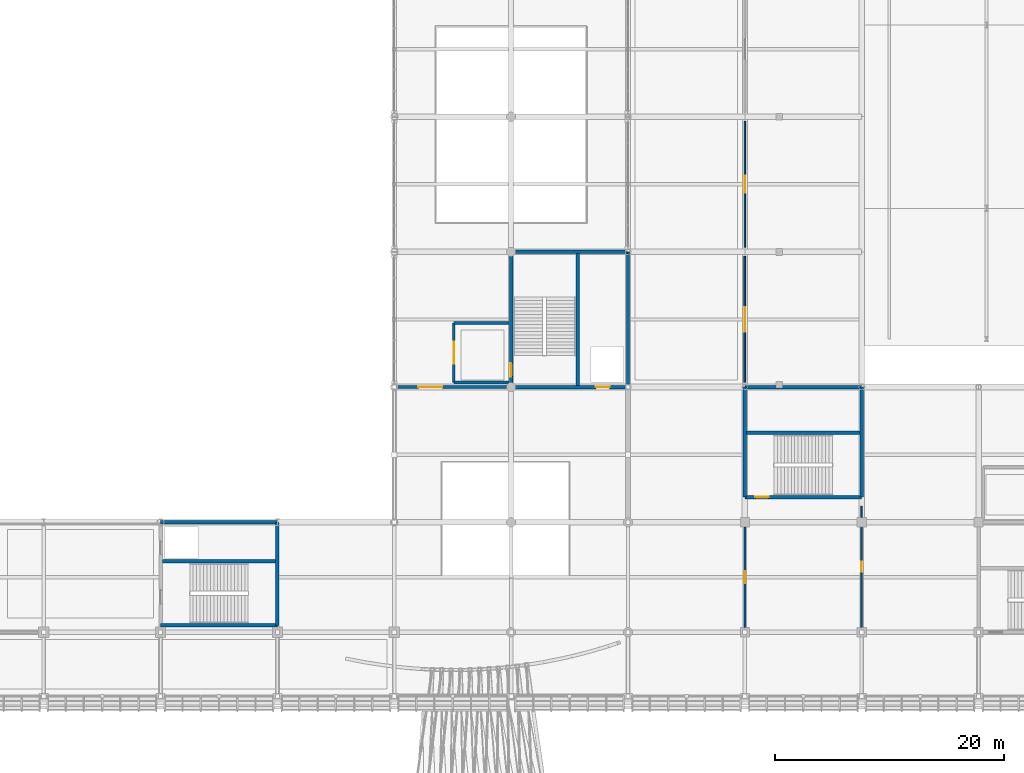
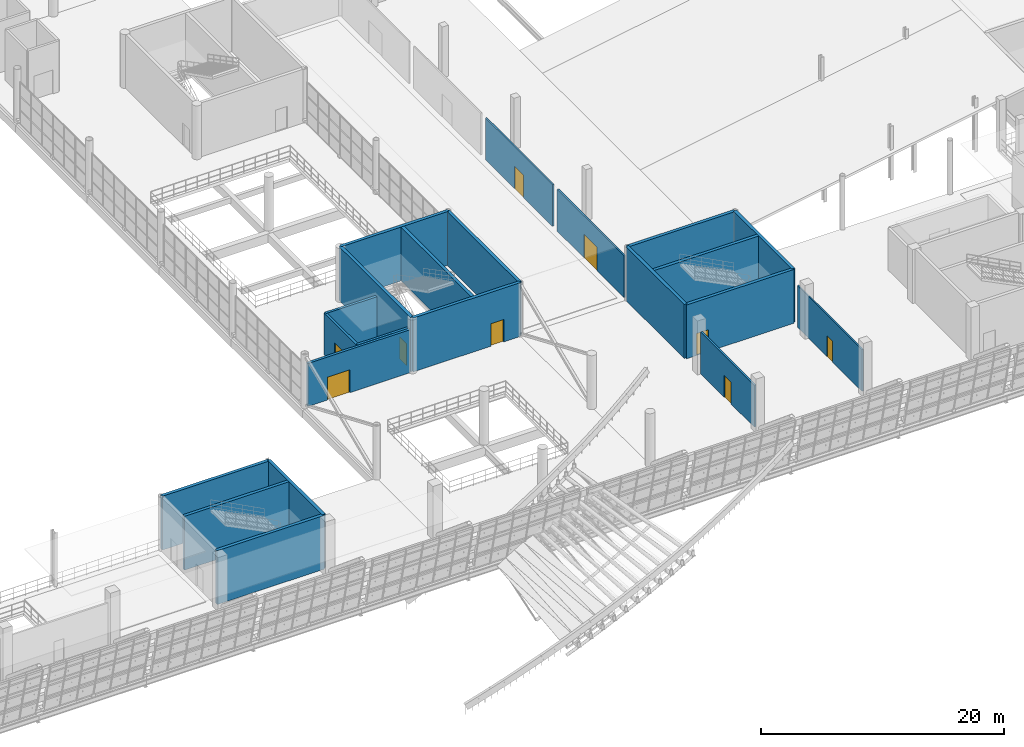
# One storey, part 133 of 175: 22 walls, 9 doors, 9 openings.
"""IFC4 building model written with IfcOpenShell, lengths in metres."""

from ifc_helpers import new_model, si_unit, direction, frame, frame_2d, origin, place, context, subcontext, project, spatial, rectangle, extrude, material, layer, layer_set, type_object, element, fill, save


model = new_model("IFC4")

# Units and contexts
model_context = context("Model", 3, precision=1e-05, world=origin(), true_north=direction((0.0, 1.0)))
body_context = subcontext(model_context, "Body", "Model", "MODEL_VIEW")
ifc_project = project(units=[si_unit("LENGTHUNIT", "METRE"), si_unit("AREAUNIT", "SQUARE_METRE"), si_unit("VOLUMEUNIT", "CUBIC_METRE"), si_unit("PLANEANGLEUNIT", "RADIAN"), si_unit("MASSUNIT", "GRAM", prefix="KILO")], contexts=[model_context])

# Site, building, storey
site_placement = place(None, origin())
site = spatial("IfcSite", under=ifc_project, at=site_placement, CompositionType="ELEMENT")
building_placement = place(site_placement, origin())
building = spatial("IfcBuilding", under=site, at=building_placement, Name="Brelvane Convention Centre", CompositionType="ELEMENT")
storey_placement = place(building_placement, frame((0.0, 0.0, 5.39990234375)))
storey = spatial("IfcBuildingStorey", under=building, at=storey_placement, Name="L01", CompositionType="ELEMENT", Elevation=5.39990234375)

# Wall, opening, door
ifc_material_1 = material(Name="Insulated Autoclaved Aerated Concrete Block Grade 1", Category="concrete")
ifc_layer_1 = layer(ifc_material_1, 0.239990234375)
ifc_layer_set_1 = layer_set([ifc_layer_1], Name="Insulated Autoclaved Aerated Concrete Block Grade 1")
wall_type_1 = type_object("IfcWallType", Name="Exterior Wall EW-03", PredefinedType="STANDARD", material=ifc_layer_set_1)
wall_1_placement = place(storey_placement, frame((143.0400390625, 40.60009765625, 0.0), z_axis=(0.0, 0.0, 1.0), x_axis=(1.0, 0.0, 0.0)))
wall_1 = element("IfcWall", 1, at=wall_1_placement, inside=storey, type_object=wall_type_1, Name="Exterior Wall L01 GAL-DECK-L01-1", PredefinedType="STANDARD", context=body_context, shape_type="SweptSolid", body=[
    extrude(rectangle(XDim=9.719970703125, YDim=0.239990234375, at=frame_2d((4.85986328125, 0.0))), origin(), (0.0, 0.0, 1.0), 4.320068359375),
])
opening_1_placement = place(wall_1_placement, frame((1.865966796875, 0.0, 0.0)))
opening_1 = element("IfcOpeningElement", 2, at=opening_1_placement, cuts=wall_1, Name="Opening DR-TR-01", PredefinedType="OPENING", context=body_context, shape_type="SweptSolid", body=[
    extrude(rectangle(XDim=2.10009765625, YDim=2.300048828125, at=frame_2d((1.050048828125, 1.14990234375))), frame((0.0, 0.1298828125, 0.0), z_axis=(0.0, -1.0, 0.0), x_axis=(1.0, 0.0, 0.0)), (0.0, 0.0, 1.0), 0.260009765625),
])
ifc_material_2 = material(Name="Anodised Aluminium Alloy 6063-T6", Category="aluminium")
door_type_1 = type_object("IfcDoorType", Name="Exterior Door DR-TR-01", OperationType="NOTDEFINED", PredefinedType="DOOR", material=ifc_material_2)
door_1_placement = place(opening_1_placement, frame((2.10009765625, 0.0, 0.0), z_axis=(0.0, 0.0, 1.0), x_axis=(-1.0, 0.0, 0.0)))
door_1 = element("IfcDoor", 3, at=door_1_placement, inside=storey, type_object=door_type_1, Name="Terrace Exit Door PUB-DECK-1 (DR-TR-01)", OperationType="DOUBLE_DOOR_SINGLE_SWING", OverallHeight=2.300048828125, OverallWidth=2.10009765625, PredefinedType="DOOR", context=body_context, shape_type="SweptSolid", body=[
    extrude(rectangle(XDim=2.10009765625, YDim=2.300048828125, at=frame_2d((1.050048828125, 1.14990234375))), frame((0.0, 0.02490234375, 0.0), z_axis=(0.0, -1.0, 0.0), x_axis=(1.0, 0.0, 0.0)), (0.0, 0.0, 1.0), 0.050048828125),
])
fill(opening_1, door_1)

ifc_material_3 = material(Name="Fire-Rated Acoustic Gypsum Partition Board Grade A")
ifc_layer_2 = layer(ifc_material_3, 0.14501953125)
ifc_layer_set_2 = layer_set([ifc_layer_2], Name="Fire-Rated Acoustic Gypsum Partition Board Grade A")
wall_type_2 = type_object("IfcWallType", Name="Interior Wall IW-AC-145", PredefinedType="PARTITIONING", material=ifc_layer_set_2)
wall_2_placement = place(storey_placement, frame((173.39990234375, 52.800048828125, 0.0), z_axis=(0.0, 0.0, 1.0), x_axis=(0.0, 1.0, 0.0)))
wall_2 = element("IfcWall", 4, at=wall_2_placement, inside=storey, type_object=wall_type_2, Name="Interior Partition L01-PLEN-W2", PredefinedType="PARTITIONING", context=body_context, shape_type="SweptSolid", body=[
    extrude(rectangle(XDim=11.0, YDim=0.14501953125, at=frame_2d((5.5, 0.0))), origin(), (0.0, 0.0, 1.0), 4.2001953125),
])
opening_2_placement = place(wall_2_placement, frame((4.75, 0.0, 0.0)))
opening_2 = element("IfcOpeningElement", 5, at=opening_2_placement, cuts=wall_2, Name="Opening DR-IN-05", PredefinedType="OPENING", context=body_context, shape_type="SweptSolid", body=[
    extrude(rectangle(XDim=1.5, YDim=2.25, at=frame_2d((0.75, 1.125))), frame((0.0, 0.08251953125, 0.0), z_axis=(0.0, -1.0, 0.0), x_axis=(1.0, 0.0, 0.0)), (0.0, 0.0, 1.0), 0.1650390625),
])
ifc_material_4 = material(Name="Solid-Core Fire-Rated Hardwood Leaf Grade 1", Category="wood")
door_type_2 = type_object("IfcDoorType", Name="Interior Door DR-IN-05", OperationType="NOTDEFINED", PredefinedType="DOOR", material=ifc_material_4)
door_2_placement = place(opening_2_placement, origin())
door_2 = element("IfcDoor", 6, at=door_2_placement, inside=storey, type_object=door_type_2, Name="Interior Door L01-PLEN-W2 (DR-IN-05)", OperationType="DOUBLE_DOOR_SINGLE_SWING", OverallHeight=2.25, OverallWidth=1.5, PredefinedType="DOOR", context=body_context, shape_type="SweptSolid", body=[
    extrude(rectangle(XDim=1.5, YDim=2.25, at=frame_2d((0.75, 1.125))), frame((0.0, 0.02490234375, 0.0), z_axis=(0.0, -1.0, 0.0), x_axis=(1.0, 0.0, 0.0)), (0.0, 0.0, 1.0), 0.050048828125),
])
fill(opening_2, door_2)

ifc_material_5 = material(Name="Fire-Rated Acoustic Gypsum Partition Board Grade A")
ifc_layer_3 = layer(ifc_material_5, 0.155029296875)
ifc_layer_set_3 = layer_set([ifc_layer_3], Name="Fire-Rated Acoustic Gypsum Partition Board Grade A")
wall_type_3 = type_object("IfcWallType", Name="Interior Wall IW-AC-155", PredefinedType="PARTITIONING", material=ifc_layer_set_3)
wall_3_placement = place(storey_placement, frame((173.39990234375, 41.0, 0.0), z_axis=(0.0, 0.0, 1.0), x_axis=(0.0, 1.0, 0.0)))
wall_3 = element("IfcWall", 7, at=wall_3_placement, inside=storey, type_object=wall_type_3, Name="Interior Partition L01-PLEN-W1", PredefinedType="PARTITIONING", context=body_context, shape_type="SweptSolid", body=[
    extrude(rectangle(XDim=11.0, YDim=0.155029296875, at=frame_2d((5.5, 0.0))), origin(), (0.0, 0.0, 1.0), 4.2001953125),
])
opening_3_placement = place(wall_3_placement, frame((4.425048828125, 0.0, 0.0)))
opening_3 = element("IfcOpeningElement", 8, at=opening_3_placement, cuts=wall_3, Name="Opening DR-IN-22", PredefinedType="OPENING", context=body_context, shape_type="SweptSolid", body=[
    extrude(rectangle(XDim=2.14990234375, YDim=2.3798828125, at=frame_2d((1.074951171875, 1.18994140625))), frame((0.0, 0.08740234375, 0.0), z_axis=(0.0, -1.0, 0.0), x_axis=(1.0, 0.0, 0.0)), (0.0, 0.0, 1.0), 0.175048828125),
])
ifc_material_6 = material(Name="Galvanised Hollow-Metal Fire Door Steel E250", Category="steel")
door_type_3 = type_object("IfcDoorType", Name="Interior Door DR-IN-22", OperationType="NOTDEFINED", PredefinedType="DOOR", material=ifc_material_6)
door_3_placement = place(opening_3_placement, origin())
door_3 = element("IfcDoor", 9, at=door_3_placement, inside=storey, type_object=door_type_3, Name="Interior Door L01-PLEN-W1 (DR-IN-22)", OperationType="DOUBLE_DOOR_SINGLE_SWING", OverallHeight=2.3798828125, OverallWidth=2.14990234375, PredefinedType="DOOR", context=body_context, shape_type="SweptSolid", body=[
    extrude(rectangle(XDim=2.14990234375, YDim=2.3798828125, at=frame_2d((1.074951171875, 1.18994140625))), frame((0.0, 0.02490234375, 0.0), z_axis=(0.0, -1.0, 0.0), x_axis=(1.0, 0.0, 0.0)), (0.0, 0.0, 1.0), 0.050048828125),
])
fill(opening_3, door_3)

ifc_material_7 = material(Name="Fire-Rated Acoustic Gypsum Partition Board Grade A")
ifc_layer_4 = layer(ifc_material_7, 0.175048828125)
ifc_layer_set_4 = layer_set([ifc_layer_4], Name="Fire-Rated Acoustic Gypsum Partition Board Grade A")
wall_type_4 = type_object("IfcWallType", Name="Interior Wall IW-AC-175", PredefinedType="PARTITIONING", material=ifc_layer_set_4)
wall_4_placement = place(storey_placement, frame((173.39990234375, 19.60009765625, 0.0), z_axis=(0.0, 0.0, 1.0), x_axis=(0.0, 1.0, 0.0)))
wall_4 = element("IfcWall", 10, at=wall_4_placement, inside=storey, type_object=wall_type_4, Name="Interior Partition L01-REST2", PredefinedType="PARTITIONING", context=body_context, shape_type="SweptSolid", body=[
    extrude(rectangle(XDim=8.7998046875, YDim=0.175048828125, at=frame_2d((4.39990234375, 0.0))), origin(), (0.0, 0.0, 1.0), 4.2001953125),
])
opening_4_placement = place(wall_4_placement, frame((3.860107421875, 0.0, 0.0)))
opening_4 = element("IfcOpeningElement", 11, at=opening_4_placement, cuts=wall_4, Name="Opening DR-IN-13L", PredefinedType="OPENING", context=body_context, shape_type="SweptSolid", body=[
    extrude(rectangle(XDim=1.080078125, YDim=2.179931640625, at=frame_2d((0.5400390625, 1.08984375))), frame((0.0, 0.097412109375, 0.0), z_axis=(0.0, -1.0, 0.0), x_axis=(1.0, 0.0, 0.0)), (0.0, 0.0, 1.0), 0.195068359375),
])
ifc_material_8 = material(Name="Solid-Core Fire-Rated Hardwood Leaf Grade 1", Category="wood")
door_type_4 = type_object("IfcDoorType", Name="Interior Door DR-IN-13L", OperationType="NOTDEFINED", PredefinedType="DOOR", material=ifc_material_8)
door_4_placement = place(opening_4_placement, origin())
door_4 = element("IfcDoor", 12, at=door_4_placement, inside=storey, type_object=door_type_4, Name="Interior Door L01-REST2 (DR-IN-13L)", OperationType="SINGLE_SWING_LEFT", OverallHeight=2.179931640625, OverallWidth=1.080078125, PredefinedType="DOOR", context=body_context, shape_type="SweptSolid", body=[
    extrude(rectangle(XDim=1.080078125, YDim=2.179931640625, at=frame_2d((0.5400390625, 1.08984375))), frame((0.0, 0.02490234375, 0.0), z_axis=(0.0, -1.0, 0.0), x_axis=(1.0, 0.0, 0.0)), (0.0, 0.0, 1.0), 0.050048828125),
])
fill(opening_4, door_4)

ifc_material_9 = material(Name="Concrete M40", Category="concrete")
ifc_layer_5 = layer(ifc_material_9, 0.239990234375)
ifc_layer_set_5 = layer_set([ifc_layer_5], Name="Concrete M40")
wall_type_5 = type_object("IfcWallType", Name="Interior Wall IW-FR-240", PredefinedType="PARTITIONING", material=ifc_layer_set_5)
wall_5_placement = place(storey_placement, frame((148.0, 41.0, 0.0), z_axis=(0.0, 0.0, 1.0), x_axis=(0.0, 1.0, 0.0)))
wall_5 = element("IfcWall", 13, at=wall_5_placement, inside=storey, type_object=wall_type_5, Name="Firefighting Lobby C3 Wall W (L01)", PredefinedType="PARTITIONING", context=body_context, shape_type="SweptSolid", body=[
    extrude(rectangle(XDim=5.199951171875, YDim=0.239990234375, at=frame_2d((2.60009765625, 0.0))), origin(), (0.0, 0.0, 1.0), 4.2001953125),
])
opening_5_placement = place(wall_5_placement, frame((1.64990234375, 0.0, 0.0)))
opening_5 = element("IfcOpeningElement", 14, at=opening_5_placement, cuts=wall_5, Name="Opening DR-FL-01", PredefinedType="OPENING", context=body_context, shape_type="SweptSolid", body=[
    extrude(rectangle(XDim=1.89990234375, YDim=2.25, at=frame_2d((0.949951171875, 1.125))), frame((0.0, 0.1298828125, 0.0), z_axis=(0.0, -1.0, 0.0), x_axis=(1.0, 0.0, 0.0)), (0.0, 0.0, 1.0), 0.260009765625),
])
ifc_material_10 = material(Name="Galvanised Hollow-Metal Fire Door Steel E250", Category="steel")
door_type_5 = type_object("IfcDoorType", Name="Interior Door DR-FL-01", OperationType="NOTDEFINED", PredefinedType="DOOR", material=ifc_material_10)
door_5_placement = place(opening_5_placement, origin())
door_5 = element("IfcDoor", 15, at=door_5_placement, inside=storey, type_object=door_type_5, Name="Firefighting Lobby C3 Smoke Door (L01)", OperationType="DOUBLE_DOOR_SINGLE_SWING", OverallHeight=2.25, OverallWidth=1.89990234375, PredefinedType="DOOR", context=body_context, shape_type="SweptSolid", body=[
    extrude(rectangle(XDim=1.89990234375, YDim=2.25, at=frame_2d((0.949951171875, 1.125))), frame((0.0, 0.02490234375, 0.0), z_axis=(0.0, -1.0, 0.0), x_axis=(1.0, 0.0, 0.0)), (0.0, 0.0, 1.0), 0.050048828125),
])
fill(opening_5, door_5)

# Walls
for number, where, z_axis, x_axis, name in (
    (16, (148.0, 46.199951171875, 0.0), (0.0, 0.0, 1.0), (1.0, 0.0, 0.0), "Firefighting Lobby C3 Wall N (L01)"),
    (17, (148.0, 41.0, 0.0), (0.0, 0.0, 1.0), (1.0, 0.0, 0.0), "Firefighting Lobby C3 Wall S (L01)"),
):
    element("IfcWall", number, at=place(storey_placement, frame(where, z_axis=z_axis, x_axis=x_axis)), inside=storey, type_object=wall_type_5, Name=name, PredefinedType="PARTITIONING", context=body_context, shape_type="SweptSolid", body=[
        extrude(rectangle(XDim=4.800048828125, YDim=0.239990234375, at=frame_2d((2.39990234375, 0.0))), origin(), (0.0, 0.0, 1.0), 4.2001953125),
    ])

# Wall, opening, door
ifc_material_11 = material(Name="Fire-Rated Acoustic Gypsum Partition Board Grade A")
ifc_layer_6 = layer(ifc_material_11, 0.135009765625)
ifc_layer_set_6 = layer_set([ifc_layer_6], Name="Fire-Rated Acoustic Gypsum Partition Board Grade A")
wall_type_6 = type_object("IfcWallType", Name="Interior Wall IW-PT-135", PredefinedType="PARTITIONING", material=ifc_layer_set_6)
wall_6_placement = place(storey_placement, frame((183.60009765625, 19.60009765625, 0.0), z_axis=(0.0, 0.0, 1.0), x_axis=(0.0, 1.0, 0.0)))
wall_6 = element("IfcWall", 18, at=wall_6_placement, inside=storey, type_object=wall_type_6, Name="Interior Partition L01-REST3", PredefinedType="PARTITIONING", context=body_context, shape_type="SweptSolid", body=[
    extrude(rectangle(XDim=10.599853515625, YDim=0.135009765625, at=frame_2d((5.2998046875, 0.0))), origin(), (0.0, 0.0, 1.0), 4.2001953125),
])
opening_6_placement = place(wall_6_placement, frame((4.860107421875, 0.0, 0.0)))
opening_6 = element("IfcOpeningElement", 19, at=opening_6_placement, cuts=wall_6, Name="Opening DR-IN-11L", PredefinedType="OPENING", context=body_context, shape_type="SweptSolid", body=[
    extrude(rectangle(XDim=0.8798828125, YDim=2.080078125, at=frame_2d((0.43994140625, 1.0400390625))), frame((0.0, 0.077392578125, 0.0), z_axis=(0.0, -1.0, 0.0), x_axis=(1.0, 0.0, 0.0)), (0.0, 0.0, 1.0), 0.155029296875),
])
ifc_material_12 = material(Name="Solid-Core Fire-Rated Hardwood Leaf Grade 1", Category="wood")
door_type_6 = type_object("IfcDoorType", Name="Interior Door DR-IN-11L", OperationType="NOTDEFINED", PredefinedType="DOOR", material=ifc_material_12)
door_6_placement = place(opening_6_placement, origin())
door_6 = element("IfcDoor", 20, at=door_6_placement, inside=storey, type_object=door_type_6, Name="Interior Door L01-REST3 (DR-IN-11L)", OperationType="SINGLE_SWING_LEFT", OverallHeight=2.080078125, OverallWidth=0.8798828125, PredefinedType="DOOR", context=body_context, shape_type="SweptSolid", body=[
    extrude(rectangle(XDim=0.8798828125, YDim=2.080078125, at=frame_2d((0.43994140625, 1.0400390625))), frame((0.0, 0.02490234375, 0.0), z_axis=(0.0, -1.0, 0.0), x_axis=(1.0, 0.0, 0.0)), (0.0, 0.0, 1.0), 0.050048828125),
])
fill(opening_6, door_6)

# Walls
ifc_material_13 = material(Name="Concrete M50", Category="concrete")
ifc_layer_7 = layer(ifc_material_13, 0.300048828125)
ifc_layer_set_7 = layer_set([ifc_layer_7], Name="Concrete M50")
wall_type_7 = type_object("IfcWallType", Name="Structural Wall WL-CORE-300", PredefinedType="SHEAR", material=ifc_layer_set_7)
for number, where, z_axis, x_axis, name in (
    (21, (122.39990234375, 19.800048828125, 0.0), (0.0, 0.0, 1.0), (1.0, 0.0, 0.0), "Core C2 Shear Wall S (L01)"),
    (22, (122.39990234375, 28.800048828125, 0.0), (0.0, 0.0, 1.0), (1.0, 0.0, 0.0), "Core C2 Shear Wall N (L01)"),
):
    element("IfcWall", number, at=place(storey_placement, frame(where, z_axis=z_axis, x_axis=x_axis)), inside=storey, type_object=wall_type_7, Name=name, PredefinedType="SHEAR", context=body_context, shape_type="SweptSolid", body=[
        extrude(rectangle(XDim=10.2001953125, YDim=0.300048828125, at=frame_2d((5.10009765625, 0.0))), origin(), (0.0, 0.0, 1.0), 5.400146484375),
    ])
wall_7_placement = place(storey_placement, frame((132.60009765625, 19.800048828125, 0.0), z_axis=(0.0, 0.0, 1.0), x_axis=(0.0, 1.0, 0.0)))
element("IfcWall", 23, at=wall_7_placement, inside=storey, type_object=wall_type_7, Name="Core C2 Shear Wall E (L01)", PredefinedType="SHEAR", context=body_context, shape_type="SweptSolid", body=[
    extrude(rectangle(XDim=9.0, YDim=0.300048828125, at=frame_2d((4.5, 0.0))), origin(), (0.0, 0.0, 1.0), 5.400146484375),
])

# Wall, opening, door
wall_8_placement = place(storey_placement, frame((153.0, 40.60009765625, 0.0), z_axis=(0.0, 0.0, 1.0), x_axis=(1.0, 0.0, 0.0)))
wall_8 = element("IfcWall", 24, at=wall_8_placement, inside=storey, type_object=wall_type_7, Name="Core C3 Shear Wall S (L01)", PredefinedType="SHEAR", context=body_context, shape_type="SweptSolid", body=[
    extrude(rectangle(XDim=10.199951171875, YDim=0.300048828125, at=frame_2d((5.10009765625, 0.0))), origin(), (0.0, 0.0, 1.0), 5.400146484375),
])
opening_7_placement = place(wall_8_placement, frame((7.39990234375, 0.0, 0.0)))
opening_7 = element("IfcOpeningElement", 25, at=opening_7_placement, cuts=wall_8, Name="Opening LD-01", PredefinedType="OPENING", context=body_context, shape_type="SweptSolid", body=[
    extrude(rectangle(XDim=1.199951171875, YDim=2.25, at=frame_2d((0.60009765625, 1.125))), frame((0.0, 0.159912109375, 0.0), z_axis=(0.0, -1.0, 0.0), x_axis=(1.0, 0.0, 0.0)), (0.0, 0.0, 1.0), 0.320068359375),
])
ifc_material_14 = material(Name="Galvanised Hollow-Metal Fire Door Steel E250", Category="steel")
door_type_7 = type_object("IfcDoorType", Name="Interior Door LD-01", OperationType="NOTDEFINED", PredefinedType="DOOR", material=ifc_material_14)
door_7_placement = place(opening_7_placement, origin())
door_7 = element("IfcDoor", 26, at=door_7_placement, inside=storey, type_object=door_type_7, Name="Lift LF-02 Landing Door (L01)", OperationType="SLIDING_TO_LEFT", OverallHeight=2.25, OverallWidth=1.199951171875, PredefinedType="DOOR", context=body_context, shape_type="SweptSolid", body=[
    extrude(rectangle(XDim=1.199951171875, YDim=2.25, at=frame_2d((0.60009765625, 1.125))), frame((0.0, 0.02490234375, 0.0), z_axis=(0.0, -1.0, 0.0), x_axis=(1.0, 0.0, 0.0)), (0.0, 0.0, 1.0), 0.050048828125),
])
fill(opening_7, door_7)

# Wall
wall_9_placement = place(storey_placement, frame((153.0, 52.39990234375, 0.0), z_axis=(0.0, 0.0, 1.0), x_axis=(1.0, 0.0, 0.0)))
element("IfcWall", 27, at=wall_9_placement, inside=storey, type_object=wall_type_7, Name="Core C3 Shear Wall N (L01)", PredefinedType="SHEAR", context=body_context, shape_type="SweptSolid", body=[
    extrude(rectangle(XDim=10.199951171875, YDim=0.300048828125, at=frame_2d((5.10009765625, 0.0))), origin(), (0.0, 0.0, 1.0), 5.400146484375),
])

# Wall, opening, door
wall_10_placement = place(storey_placement, frame((153.0, 40.60009765625, 0.0), z_axis=(0.0, 0.0, 1.0), x_axis=(0.0, 1.0, 0.0)))
wall_10 = element("IfcWall", 28, at=wall_10_placement, inside=storey, type_object=wall_type_7, Name="Core C3 Shear Wall W (L01)", PredefinedType="SHEAR", context=body_context, shape_type="SweptSolid", body=[
    extrude(rectangle(XDim=11.7998046875, YDim=0.300048828125, at=frame_2d((5.89990234375, 0.0))), origin(), (0.0, 0.0, 1.0), 5.400146484375),
])
opening_8_placement = place(wall_10_placement, frame((0.919921875, 0.0, 0.0)))
opening_8 = element("IfcOpeningElement", 29, at=opening_8_placement, cuts=wall_10, Name="Opening DR-IN-04L", PredefinedType="OPENING", context=body_context, shape_type="SweptSolid", body=[
    extrude(rectangle(XDim=1.159912109375, YDim=2.199951171875, at=frame_2d((0.580078125, 1.10009765625))), frame((0.0, 0.159912109375, 0.0), z_axis=(0.0, -1.0, 0.0), x_axis=(1.0, 0.0, 0.0)), (0.0, 0.0, 1.0), 0.320068359375),
])
ifc_material_15 = material(Name="Galvanised Hollow-Metal Fire Door Steel E250", Category="steel")
door_type_8 = type_object("IfcDoorType", Name="Interior Door DR-IN-04L", OperationType="NOTDEFINED", PredefinedType="DOOR", material=ifc_material_15)
door_8_placement = place(opening_8_placement, origin())
door_8 = element("IfcDoor", 30, at=door_8_placement, inside=storey, type_object=door_type_8, Name="Stair ST-03 Door (L01)", OperationType="SINGLE_SWING_LEFT", OverallHeight=2.199951171875, OverallWidth=1.159912109375, PredefinedType="DOOR", context=body_context, shape_type="SweptSolid", body=[
    extrude(rectangle(XDim=1.159912109375, YDim=2.199951171875, at=frame_2d((0.580078125, 1.10009765625))), frame((0.0, 0.02490234375, 0.0), z_axis=(0.0, -1.0, 0.0), x_axis=(1.0, 0.0, 0.0)), (0.0, 0.0, 1.0), 0.050048828125),
])
fill(opening_8, door_8)

# Walls
wall_11_placement = place(storey_placement, frame((163.199951171875, 40.60009765625, 0.0), z_axis=(0.0, 0.0, 1.0), x_axis=(0.0, 1.0, 0.0)))
element("IfcWall", 31, at=wall_11_placement, inside=storey, type_object=wall_type_7, Name="Core C3 Shear Wall E (L01)", PredefinedType="SHEAR", context=body_context, shape_type="SweptSolid", body=[
    extrude(rectangle(XDim=11.7998046875, YDim=0.300048828125, at=frame_2d((5.89990234375, 0.0))), origin(), (0.0, 0.0, 1.0), 5.400146484375),
])
wall_12_placement = place(storey_placement, frame((122.550048828125, 25.39990234375, 0.0), z_axis=(0.0, 0.0, 1.0), x_axis=(1.0, 0.0, 0.0)))
element("IfcWall", 32, at=wall_12_placement, inside=storey, type_object=wall_type_7, Name="Core C2 Shaft Divider Wall (L01)", PredefinedType="SHEAR", context=body_context, shape_type="SweptSolid", body=[
    extrude(rectangle(XDim=9.89990234375, YDim=0.300048828125, at=frame_2d((4.949951171875, 0.0))), origin(), (0.0, 0.0, 1.0), 5.400146484375),
])
wall_13_placement = place(storey_placement, frame((158.800048828125, 40.75, 0.0), z_axis=(0.0, 0.0, 1.0), x_axis=(0.0, 1.0, 0.0)))
element("IfcWall", 33, at=wall_13_placement, inside=storey, type_object=wall_type_7, Name="Core C3 Shaft Divider Wall (L01)", PredefinedType="SHEAR", context=body_context, shape_type="SweptSolid", body=[
    extrude(rectangle(XDim=11.5, YDim=0.300048828125, at=frame_2d((5.75, 0.0))), origin(), (0.0, 0.0, 1.0), 5.400146484375),
])

# Wall, opening, door
wall_14_placement = place(storey_placement, frame((173.39990234375, 31.0, 0.0), z_axis=(0.0, 0.0, 1.0), x_axis=(1.0, 0.0, 0.0)))
wall_14 = element("IfcWall", 34, at=wall_14_placement, inside=storey, type_object=wall_type_7, Name="Stair Core ST-18 Wall S (L01)", PredefinedType="SHEAR", context=body_context, shape_type="SweptSolid", body=[
    extrude(rectangle(XDim=10.2001953125, YDim=0.300048828125, at=frame_2d((5.10009765625, 0.0))), origin(), (0.0, 0.0, 1.0), 5.400146484375),
])
opening_9_placement = place(wall_14_placement, frame((0.919921875, 0.0, 0.0)))
opening_9 = element("IfcOpeningElement", 35, at=opening_9_placement, cuts=wall_14, Name="Opening DR-IN-04L", PredefinedType="OPENING", context=body_context, shape_type="SweptSolid", body=[
    extrude(rectangle(XDim=1.159912109375, YDim=2.199951171875, at=frame_2d((0.580078125, 1.10009765625))), frame((0.0, 0.159912109375, 0.0), z_axis=(0.0, -1.0, 0.0), x_axis=(1.0, 0.0, 0.0)), (0.0, 0.0, 1.0), 0.320068359375),
])
door_9_placement = place(opening_9_placement, origin())
door_9 = element("IfcDoor", 36, at=door_9_placement, inside=storey, type_object=door_type_8, Name="Stair ST-18 Entry Door (L01)", OperationType="SINGLE_SWING_LEFT", OverallHeight=2.199951171875, OverallWidth=1.159912109375, PredefinedType="DOOR", context=body_context, shape_type="SweptSolid", body=[
    extrude(rectangle(XDim=1.159912109375, YDim=2.199951171875, at=frame_2d((0.580078125, 1.10009765625))), frame((0.0, 0.02490234375, 0.0), z_axis=(0.0, -1.0, 0.0), x_axis=(1.0, 0.0, 0.0)), (0.0, 0.0, 1.0), 0.050048828125),
])
fill(opening_9, door_9)

# Walls
wall_15_placement = place(storey_placement, frame((173.39990234375, 40.60009765625, 0.0), z_axis=(0.0, 0.0, 1.0), x_axis=(1.0, 0.0, 0.0)))
element("IfcWall", 37, at=wall_15_placement, inside=storey, type_object=wall_type_7, Name="Stair Core ST-18 Wall N (L01)", PredefinedType="SHEAR", context=body_context, shape_type="SweptSolid", body=[
    extrude(rectangle(XDim=10.2001953125, YDim=0.300048828125, at=frame_2d((5.10009765625, 0.0))), origin(), (0.0, 0.0, 1.0), 5.400146484375),
])
for number, where, z_axis, x_axis, name in (
    (38, (173.39990234375, 31.0, 0.0), (0.0, 0.0, 1.0), (0.0, 1.0, 0.0), "Stair Core ST-18 Wall W (L01)"),
    (39, (183.60009765625, 31.0, 0.0), (0.0, 0.0, 1.0), (0.0, 1.0, 0.0), "Stair Core ST-18 Wall E (L01)"),
):
    element("IfcWall", number, at=place(storey_placement, frame(where, z_axis=z_axis, x_axis=x_axis)), inside=storey, type_object=wall_type_7, Name=name, PredefinedType="SHEAR", context=body_context, shape_type="SweptSolid", body=[
        extrude(rectangle(XDim=9.60009765625, YDim=0.300048828125, at=frame_2d((4.800048828125, 0.0))), origin(), (0.0, 0.0, 1.0), 5.400146484375),
    ])
wall_16_placement = place(storey_placement, frame((173.550048828125, 36.60009765625, 0.0), z_axis=(0.0, 0.0, 1.0), x_axis=(1.0, 0.0, 0.0)))
element("IfcWall", 40, at=wall_16_placement, inside=storey, type_object=wall_type_7, Name="Stair Core ST-18 Well Wall (L01)", PredefinedType="SHEAR", context=body_context, shape_type="SweptSolid", body=[
    extrude(rectangle(XDim=9.89990234375, YDim=0.300048828125, at=frame_2d((4.949951171875, 0.0))), origin(), (0.0, 0.0, 1.0), 5.400146484375),
])

save(model, "model.ifc")
